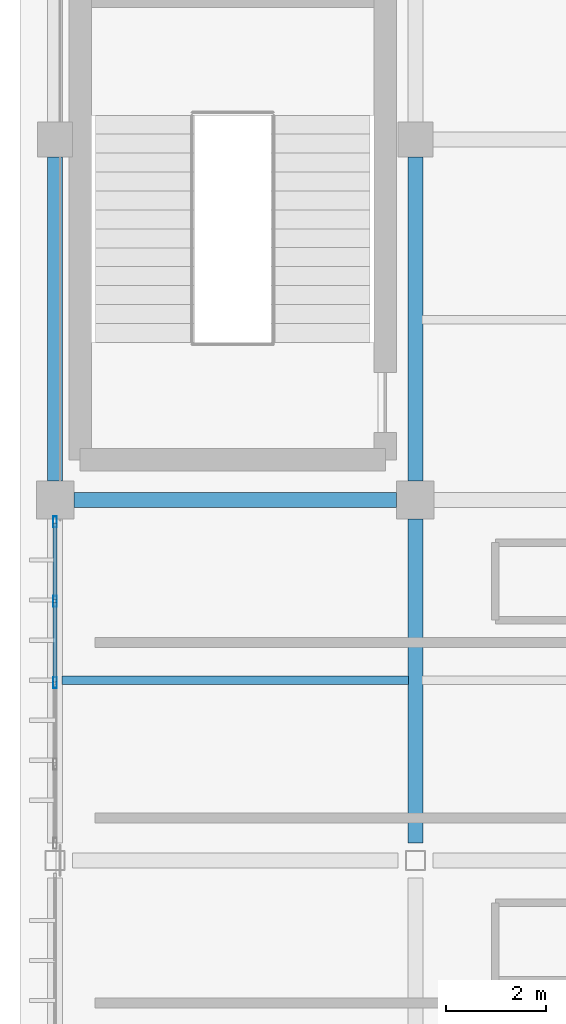
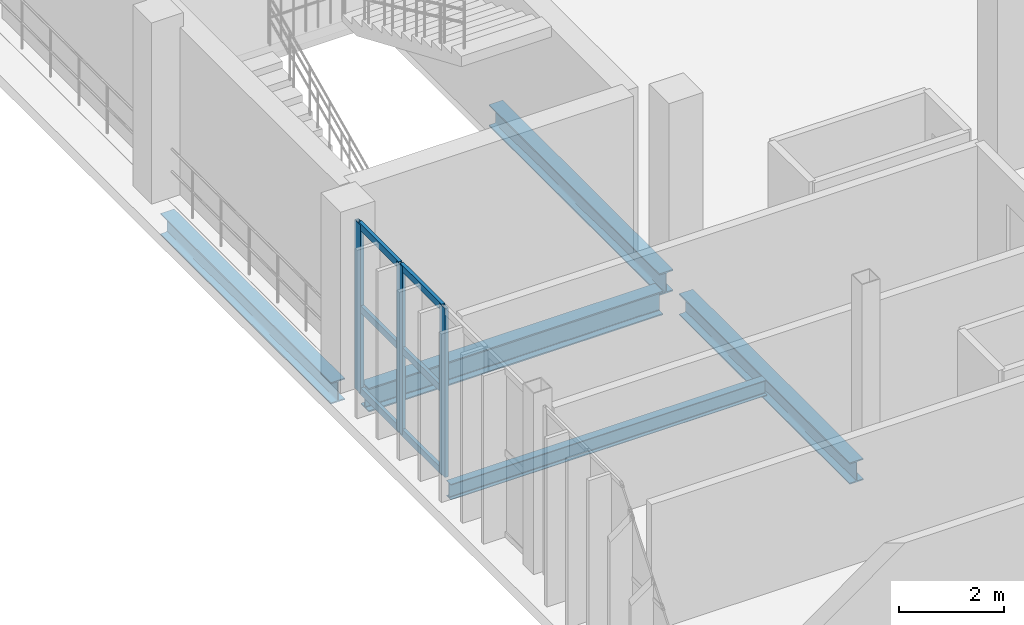
# One storey, part 28 of 130: 9 members, 5 beams, 1 element without a shape of its own.
"""IFC4 building model written with IfcOpenShell, lengths in metres."""

from ifc_helpers import new_model, si_unit, direction, frame, origin, origin_2d, place, context, subcontext, project, spatial, hollow_rectangle, i_section, extrude, material, material_profile, profile_set, type_object, element, aggregate, save


model = new_model("IFC4")

# Units and contexts
model_context = context("Model", 3, precision=1e-05, world=origin(), true_north=direction((0.0, 1.0)))
body_context = subcontext(model_context, "Body", "Model", "MODEL_VIEW")
ifc_project = project(units=[si_unit("LENGTHUNIT", "METRE"), si_unit("AREAUNIT", "SQUARE_METRE"), si_unit("VOLUMEUNIT", "CUBIC_METRE"), si_unit("PLANEANGLEUNIT", "RADIAN"), si_unit("MASSUNIT", "GRAM", prefix="KILO")], contexts=[model_context])

# Site, building, storey
site_placement = place(None, origin())
site = spatial("IfcSite", under=ifc_project, at=site_placement, CompositionType="ELEMENT")
building_placement = place(site_placement, origin())
building = spatial("IfcBuilding", under=site, at=building_placement, Name="Qandorah Velis Arena", CompositionType="ELEMENT")
storey_placement = place(building_placement, frame((0.0, 0.0, 9.60009765625)))
storey = spatial("IfcBuildingStorey", under=building, at=storey_placement, Name="L02", CompositionType="ELEMENT", Elevation=9.60009765625)

# Curtain wall, members
ifc_material_1 = material(Name="Solar-control low-E double glazing", Category="glass")
curtain_wall_type = type_object("IfcCurtainWallType", Name="ARC-CW-SYS13", PredefinedType="USERDEFINED", material=ifc_material_1)
curtain_wall_placement = place(storey_placement, origin())
curtain_wall = element("IfcCurtainWall", 1, at=curtain_wall_placement, inside=storey, type_object=curtain_wall_type, Name="Unitised curtain wall L02-013", ObjectType="UNITISED CURTAIN WALL", PredefinedType="USERDEFINED")
ifc_material_2 = material(Name="Champagne-bronze anodized aluminium 6063-T6", Category="aluminium")
ifc_material_profile_1 = material_profile(ifc_material_2, hollow_rectangle(XDim=0.074951171875, YDim=0.219970703125, WallThickness=0.00390625, at=origin_2d()), Name="ALU MULLION 75x220")
ifc_profile_set_1 = profile_set([ifc_material_profile_1], Name="Champagne-bronze anodized aluminium 6063-T6")
member_type_1 = type_object("IfcMemberType", Name="ARC-CWM-220", PredefinedType="MULLION", material=ifc_profile_set_1)
member_1_placement = place(storey_placement, frame((0.0, 32.35009765625, -0.01513671875), z_axis=(0.0, 0.0, 1.0), x_axis=(-1.0, 0.0, 0.0)))
member_1 = element("IfcMember", 2, at=member_1_placement, type_object=member_type_1, Name="CW13 mullion 3", PredefinedType="MULLION", context=body_context, shape_type="SweptSolid", body=[
    extrude(hollow_rectangle(XDim=0.074951171875, YDim=0.219970703125, WallThickness=0.00390625, at=origin_2d()), origin(), (0.0, 0.0, 1.0), 3.91015625),
])
member_2_placement = place(storey_placement, frame((0.0, 33.97509765625, -0.01513671875), z_axis=(0.0, 0.0, 1.0), x_axis=(-1.0, 0.0, 0.0)))
member_2 = element("IfcMember", 3, at=member_2_placement, type_object=member_type_1, Name="CW13 mullion 4", PredefinedType="MULLION", context=body_context, shape_type="SweptSolid", body=[
    extrude(hollow_rectangle(XDim=0.074951171875, YDim=0.219970703125, WallThickness=0.00390625, at=origin_2d()), origin(), (0.0, 0.0, 1.0), 3.91015625),
])
member_3_placement = place(storey_placement, frame((0.0, 35.5625, -0.01513671875), z_axis=(0.0, 0.0, 1.0), x_axis=(-1.0, 0.0, 0.0)))
member_3 = element("IfcMember", 4, at=member_3_placement, type_object=member_type_1, Name="CW13 mullion 5", PredefinedType="MULLION", context=body_context, shape_type="SweptSolid", body=[
    extrude(hollow_rectangle(XDim=0.074951171875, YDim=0.219970703125, WallThickness=0.00390625, at=origin_2d()), origin(), (0.0, 0.0, 1.0), 3.91015625),
])
ifc_material_profile_2 = material_profile(ifc_material_2, hollow_rectangle(XDim=0.074951171875, YDim=0.159912109375, WallThickness=0.00341796875, at=origin_2d()), Name="ALU TRANSOM 75x160")
ifc_profile_set_2 = profile_set([ifc_material_profile_2], Name="Champagne-bronze anodized aluminium 6063-T6")
member_type_2 = type_object("IfcMemberType", Name="ARC-CWT-160", PredefinedType="USERDEFINED", material=ifc_profile_set_2)
member_4_placement = place(storey_placement, frame((0.0, 32.37548828125, 0.037353515625), z_axis=(0.0, 1.0, 0.0), x_axis=(-1.0, 0.0, 0.0)))
member_4 = element("IfcMember", 5, at=member_4_placement, type_object=member_type_2, Name="CW13 transom 3.1", ObjectType="TRANSOM", PredefinedType="USERDEFINED", context=body_context, shape_type="SweptSolid", body=[
    extrude(hollow_rectangle(XDim=0.074951171875, YDim=0.159912109375, WallThickness=0.00341796875, at=origin_2d()), origin(), (0.0, 0.0, 1.0), 1.573974609375),
])
member_5_placement = place(storey_placement, frame((0.0, 32.37548828125, 1.93994140625), z_axis=(0.0, 1.0, 0.0), x_axis=(-1.0, 0.0, 0.0)))
member_5 = element("IfcMember", 6, at=member_5_placement, type_object=member_type_2, Name="CW13 transom 3.2", ObjectType="TRANSOM", PredefinedType="USERDEFINED", context=body_context, shape_type="SweptSolid", body=[
    extrude(hollow_rectangle(XDim=0.074951171875, YDim=0.159912109375, WallThickness=0.00341796875, at=origin_2d()), origin(), (0.0, 0.0, 1.0), 1.573974609375),
])
member_6_placement = place(storey_placement, frame((0.0, 32.37548828125, 3.84228515625), z_axis=(0.0, 1.0, 0.0), x_axis=(-1.0, 0.0, 0.0)))
member_6 = element("IfcMember", 7, at=member_6_placement, type_object=member_type_2, Name="CW13 transom 3.3", ObjectType="TRANSOM", PredefinedType="USERDEFINED", context=body_context, shape_type="SweptSolid", body=[
    extrude(hollow_rectangle(XDim=0.074951171875, YDim=0.159912109375, WallThickness=0.00341796875, at=origin_2d()), origin(), (0.0, 0.0, 1.0), 1.573974609375),
])
member_7_placement = place(storey_placement, frame((0.0, 34.00048828125, 0.037353515625), z_axis=(0.0, 1.0, 0.0), x_axis=(-1.0, 0.0, 0.0)))
member_7 = element("IfcMember", 8, at=member_7_placement, type_object=member_type_2, Name="CW13 transom 4.1", ObjectType="TRANSOM", PredefinedType="USERDEFINED", context=body_context, shape_type="SweptSolid", body=[
    extrude(hollow_rectangle(XDim=0.074951171875, YDim=0.159912109375, WallThickness=0.00341796875, at=origin_2d()), origin(), (0.0, 0.0, 1.0), 1.53662109375),
])
member_8_placement = place(storey_placement, frame((0.0, 34.00048828125, 1.93994140625), z_axis=(0.0, 1.0, 0.0), x_axis=(-1.0, 0.0, 0.0)))
member_8 = element("IfcMember", 9, at=member_8_placement, type_object=member_type_2, Name="CW13 transom 4.2", ObjectType="TRANSOM", PredefinedType="USERDEFINED", context=body_context, shape_type="SweptSolid", body=[
    extrude(hollow_rectangle(XDim=0.074951171875, YDim=0.159912109375, WallThickness=0.00341796875, at=origin_2d()), origin(), (0.0, 0.0, 1.0), 1.53662109375),
])
member_9_placement = place(storey_placement, frame((0.0, 34.00048828125, 3.84228515625), z_axis=(0.0, 1.0, 0.0), x_axis=(-1.0, 0.0, 0.0)))
member_9 = element("IfcMember", 10, at=member_9_placement, type_object=member_type_2, Name="CW13 transom 4.3", ObjectType="TRANSOM", PredefinedType="USERDEFINED", context=body_context, shape_type="SweptSolid", body=[
    extrude(hollow_rectangle(XDim=0.074951171875, YDim=0.159912109375, WallThickness=0.00341796875, at=origin_2d()), origin(), (0.0, 0.0, 1.0), 1.53662109375),
])
aggregate(curtain_wall, [member_1, member_2, member_3, member_4, member_5, member_6, member_7, member_8, member_9])

# Beams
ifc_material_3 = material(Name="Steel S355", Category="steel")
ifc_material_profile_3 = material_profile(ifc_material_3, i_section(OverallWidth=0.300048828125, OverallDepth=0.5, WebThickness=0.014404296875, FlangeThickness=0.028076171875, FilletRadius=0.027099609375, at=origin_2d()), Name="HEB 500")
ifc_profile_set_3 = profile_set([ifc_material_profile_3], Name="Steel S355")
beam_type_1 = type_object("IfcBeamType", Name="STR-BM-HEB500", PredefinedType="BEAM", material=ifc_profile_set_3)
for number, where, z_axis, x_axis, name in (
    (11, (0.0, 36.375, -0.530029296875), (0.0, 1.0, 0.0), (-1.0, 0.0, 0.0), "Primary floor girder L02 Y-187"),
    (12, (7.199951171875, 29.14990234375, -0.530029296875), (0.0, 1.0, 0.0), (-1.0, 0.0, 0.0), "Primary floor girder L02 Y-200"),
    (13, (7.199951171875, 36.375, -0.530029296875), (0.0, 1.0, 0.0), (-1.0, 0.0, 0.0), "Primary floor girder L02 Y-201"),
):
    element("IfcBeam", number, at=place(storey_placement, frame(where, z_axis=z_axis, x_axis=x_axis)), inside=storey, type_object=beam_type_1, Name=name, PredefinedType="BEAM", context=body_context, shape_type="SweptSolid", body=[
        extrude(i_section(OverallWidth=0.300048828125, OverallDepth=0.5, WebThickness=0.014404296875, FlangeThickness=0.028076171875, FilletRadius=0.027099609375, at=origin_2d()), origin(), (0.0, 0.0, 1.0), 6.47509765625),
    ])
ifc_material_profile_4 = material_profile(ifc_material_3, i_section(OverallWidth=0.300048828125, OverallDepth=0.550048828125, WebThickness=0.014892578125, FlangeThickness=0.029052734375, FilletRadius=0.027099609375, at=origin_2d()), Name="HEB 550")
ifc_profile_set_4 = profile_set([ifc_material_profile_4], Name="Steel S355")
beam_type_2 = type_object("IfcBeamType", Name="STR-BM-HEB550", PredefinedType="BEAM", material=ifc_profile_set_4)
beam_1_placement = place(storey_placement, frame((0.375, 36.0, -0.55517578125), z_axis=(1.0, 0.0, 0.0), x_axis=(0.0, 1.0, 0.0)))
element("IfcBeam", 14, at=beam_1_placement, inside=storey, type_object=beam_type_2, Name="Primary floor girder L02 X-062", PredefinedType="BEAM", context=body_context, shape_type="SweptSolid", body=[
    extrude(i_section(OverallWidth=0.300048828125, OverallDepth=0.550048828125, WebThickness=0.014892578125, FlangeThickness=0.029052734375, FilletRadius=0.027099609375, at=origin_2d()), origin(), (0.0, 0.0, 1.0), 6.449951171875),
])
ifc_material_profile_5 = material_profile(ifc_material_3, i_section(OverallWidth=0.169921875, OverallDepth=0.360107421875, WebThickness=0.008056640625, FlangeThickness=0.0126953125, FilletRadius=0.01806640625, at=origin_2d()), Name="IPE 360")
ifc_profile_set_5 = profile_set([ifc_material_profile_5], Name="Steel S355")
beam_type_3 = type_object("IfcBeamType", Name="STR-JST-IPE360", PredefinedType="JOIST", material=ifc_profile_set_5)
beam_2_placement = place(storey_placement, frame((0.135009765625, 32.39990234375, -0.460205078125), z_axis=(1.0, 0.0, 0.0), x_axis=(0.0, 1.0, 0.0)))
element("IfcBeam", 15, at=beam_2_placement, inside=storey, type_object=beam_type_3, Name="Secondary floor joist L02-003", PredefinedType="JOIST", context=body_context, shape_type="SweptSolid", body=[
    extrude(i_section(OverallWidth=0.169921875, OverallDepth=0.360107421875, WebThickness=0.008056640625, FlangeThickness=0.0126953125, FilletRadius=0.01806640625, at=origin_2d()), origin(), (0.0, 0.0, 1.0), 6.929931640625),
])

save(model, "model.ifc")
